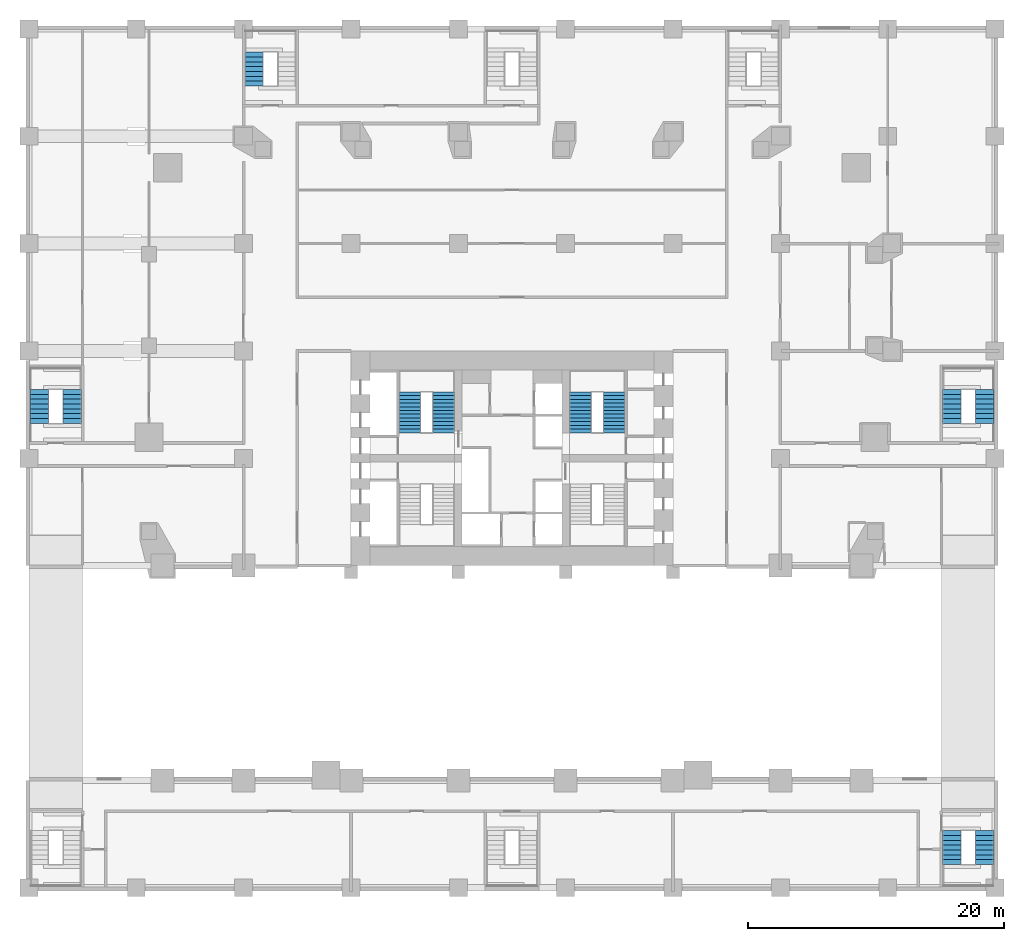
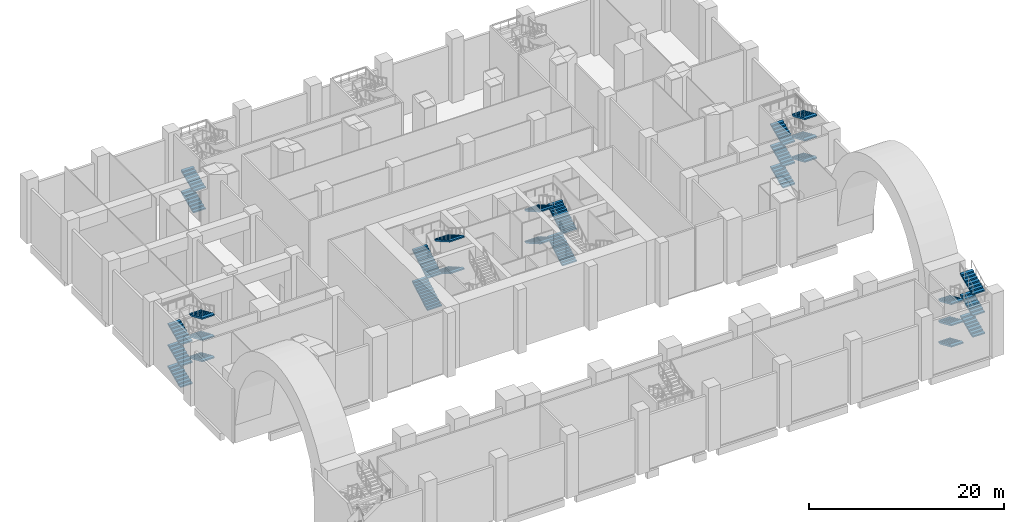
# One storey, part 11 of 19: 28 stair flights, 6 elements without a shape of their own.
"""IFC4 building model written with IfcOpenShell, lengths in metres."""

from ifc_helpers import new_model, si_unit, direction, frame, origin, place, context, subcontext, project, spatial, polyline, outline, extrude, material, type_object, element, aggregate, save


model = new_model("IFC4")

# Units and contexts
model_context = context("Model", 3, precision=1e-05, world=origin(), true_north=direction((0.0, 1.0)))
body_context = subcontext(model_context, "Body", "Model", "MODEL_VIEW")
ifc_project = project(units=[si_unit("LENGTHUNIT", "METRE"), si_unit("AREAUNIT", "SQUARE_METRE"), si_unit("VOLUMEUNIT", "CUBIC_METRE"), si_unit("PLANEANGLEUNIT", "RADIAN"), si_unit("MASSUNIT", "GRAM", prefix="KILO")], contexts=[model_context])

# Site, building, storey
site_placement = place(None, origin())
site = spatial("IfcSite", under=ifc_project, at=site_placement, CompositionType="ELEMENT")
building_placement = place(site_placement, origin())
building = spatial("IfcBuilding", under=site, at=building_placement, Name="Marenta Gate Hotel Tower", CompositionType="ELEMENT")
storey_placement = place(building_placement, frame((0.0, 0.0, 13.0)))
storey = spatial("IfcBuildingStorey", under=building, at=storey_placement, Name="L02", CompositionType="ELEMENT", Elevation=13.0)

# Stair, stair flights
ifc_material_1 = material(Name="Concrete C40", Category="concrete")
stair_type_1 = type_object("IfcStairType", Name="Core exit stair 1700 wide", PredefinedType="HALF_TURN_STAIR", material=ifc_material_1)
stair_1_placement = place(storey_placement, origin())
stair_1 = element("IfcStair", 1, at=stair_1_placement, inside=storey, type_object=stair_type_1, Name="Exit stair 2", PredefinedType="HALF_TURN_STAIR")
ifc_material_2 = material(Name="Concrete C40", Category="concrete")
stair_flight_type_1 = type_object("IfcStairFlightType", Name="Core stair flight 1700 riser 166.7 going 290", PredefinedType="STRAIGHT", material=ifc_material_2)
stair_flight_1_placement = place(storey_placement, frame((-8.0, 10.39990234375, 0.0), z_axis=(0.0, 0.0, 1.0), x_axis=(0.0, 1.0, 0.0)))
stair_flight_1 = element("IfcStairFlight", 2, at=stair_flight_1_placement, type_object=stair_flight_type_1, Name="ST2 flight 1", NumberOfRisers=12, NumberOfTreads=11, PredefinedType="STRAIGHT", RiserHeight=0.166667, TreadLength=0.29, context=body_context, shape_type="SweptSolid", body=[
    extrude(outline(polyline([(0.0, 0.0), (0.0, 0.166748046875), (0.2900390625, 0.166748046875), (0.2900390625, 0.333251953125), (0.580078125, 0.333251953125), (0.580078125, 0.5), (0.8701171875, 0.5), (0.8701171875, 0.666748046875), (1.159912109375, 0.666748046875), (1.159912109375, 0.833251953125), (1.449951171875, 0.833251953125), (1.449951171875, 1.0), (1.739990234375, 1.0), (1.739990234375, 1.166748046875), (2.030029296875, 1.166748046875), (2.030029296875, 1.333251953125), (2.320068359375, 1.333251953125), (2.320068359375, 1.5), (2.610107421875, 1.5), (2.610107421875, 1.666748046875), (2.89990234375, 1.666748046875), (2.89990234375, 1.833251953125), (3.18994140625, 1.833251953125), (3.18994140625, 2.0), (3.18994140625, 1.660400390625), (0.30078125, 0.0), (0.0, 0.0)])), frame((0.0, 0.85009765625, 0.0), z_axis=(0.0, -1.0, 0.0), x_axis=(1.0, 0.0, 0.0)), (0.0, 0.0, 1.0), 1.699951171875),
])
stair_flight_2_placement = place(storey_placement, frame((-5.35009765625, 13.590087890625, 2.0), z_axis=(0.0, 0.0, 1.0), x_axis=(0.0, -1.0, 0.0)))
stair_flight_2 = element("IfcStairFlight", 3, at=stair_flight_2_placement, type_object=stair_flight_type_1, Name="ST2 flight 2", NumberOfRisers=12, NumberOfTreads=11, PredefinedType="STRAIGHT", RiserHeight=0.166667, TreadLength=0.29, context=body_context, shape_type="SweptSolid", body=[
    extrude(outline(polyline([(0.0, 0.0), (0.0, 0.166748046875), (0.2900390625, 0.166748046875), (0.2900390625, 0.333251953125), (0.580078125, 0.333251953125), (0.580078125, 0.5), (0.8701171875, 0.5), (0.8701171875, 0.666748046875), (1.159912109375, 0.666748046875), (1.159912109375, 0.833251953125), (1.449951171875, 0.833251953125), (1.449951171875, 1.0), (1.739990234375, 1.0), (1.739990234375, 1.166748046875), (2.030029296875, 1.166748046875), (2.030029296875, 1.333251953125), (2.320068359375, 1.333251953125), (2.320068359375, 1.5), (2.610107421875, 1.5), (2.610107421875, 1.666748046875), (2.89990234375, 1.666748046875), (2.89990234375, 1.833251953125), (3.18994140625, 1.833251953125), (3.18994140625, 2.0), (3.18994140625, 1.660400390625), (0.30078125, 0.0), (0.0, 0.0)])), frame((0.0, 0.85009765625, 0.0), z_axis=(0.0, -1.0, 0.0), x_axis=(1.0, 0.0, 0.0)), (0.0, 0.0, 1.0), 1.699951171875),
])
stair_flight_3_placement = place(storey_placement, frame((-8.0, 10.39990234375, 4.0), z_axis=(0.0, 0.0, 1.0), x_axis=(0.0, 1.0, 0.0)))
stair_flight_3 = element("IfcStairFlight", 4, at=stair_flight_3_placement, type_object=stair_flight_type_1, Name="ST2 flight 3", NumberOfRisers=12, NumberOfTreads=11, PredefinedType="STRAIGHT", RiserHeight=0.166667, TreadLength=0.29, context=body_context, shape_type="SweptSolid", body=[
    extrude(outline(polyline([(0.0, 0.0), (0.0, 0.166748046875), (0.2900390625, 0.166748046875), (0.2900390625, 0.333251953125), (0.580078125, 0.333251953125), (0.580078125, 0.5), (0.8701171875, 0.5), (0.8701171875, 0.666748046875), (1.159912109375, 0.666748046875), (1.159912109375, 0.833251953125), (1.449951171875, 0.833251953125), (1.449951171875, 1.0), (1.739990234375, 1.0), (1.739990234375, 1.166748046875), (2.030029296875, 1.166748046875), (2.030029296875, 1.333251953125), (2.320068359375, 1.333251953125), (2.320068359375, 1.5), (2.610107421875, 1.5), (2.610107421875, 1.666748046875), (2.89990234375, 1.666748046875), (2.89990234375, 1.833251953125), (3.18994140625, 1.833251953125), (3.18994140625, 2.0), (3.18994140625, 1.660400390625), (0.30078125, 0.0), (0.0, 0.0)])), frame((0.0, 0.85009765625, 0.0), z_axis=(0.0, -1.0, 0.0), x_axis=(1.0, 0.0, 0.0)), (0.0, 0.0, 1.0), 1.699951171875),
])
stair_flight_4_placement = place(storey_placement, frame((-5.35009765625, 13.590087890625, 6.0), z_axis=(0.0, 0.0, 1.0), x_axis=(0.0, -1.0, 0.0)))
stair_flight_4 = element("IfcStairFlight", 5, at=stair_flight_4_placement, type_object=stair_flight_type_1, Name="ST2 flight 4", NumberOfRisers=12, NumberOfTreads=11, PredefinedType="STRAIGHT", RiserHeight=0.166667, TreadLength=0.29, context=body_context, shape_type="SweptSolid", body=[
    extrude(outline(polyline([(0.0, 0.0), (0.0, 0.166748046875), (0.2900390625, 0.166748046875), (0.2900390625, 0.333251953125), (0.580078125, 0.333251953125), (0.580078125, 0.5), (0.8701171875, 0.5), (0.8701171875, 0.666748046875), (1.159912109375, 0.666748046875), (1.159912109375, 0.833251953125), (1.449951171875, 0.833251953125), (1.449951171875, 1.0), (1.739990234375, 1.0), (1.739990234375, 1.166748046875), (2.030029296875, 1.166748046875), (2.030029296875, 1.333251953125), (2.320068359375, 1.333251953125), (2.320068359375, 1.5), (2.610107421875, 1.5), (2.610107421875, 1.666748046875), (2.89990234375, 1.666748046875), (2.89990234375, 1.833251953125), (3.18994140625, 1.833251953125), (3.18994140625, 2.0), (3.18994140625, 1.660400390625), (0.30078125, 0.0), (0.0, 0.0)])), frame((0.0, 0.85009765625, 0.0), z_axis=(0.0, -1.0, 0.0), x_axis=(1.0, 0.0, 0.0)), (0.0, 0.0, 1.0), 1.699951171875),
])
aggregate(stair_1, [stair_flight_1, stair_flight_2, stair_flight_3, stair_flight_4])

stair_2_placement = place(storey_placement, origin())
stair_2 = element("IfcStair", 6, at=stair_2_placement, inside=storey, type_object=stair_type_1, Name="Exit stair 4", PredefinedType="HALF_TURN_STAIR")
stair_flight_5_placement = place(storey_placement, frame((8.0, 10.39990234375, 0.0), z_axis=(0.0, 0.0, 1.0), x_axis=(0.0, 1.0, 0.0)))
stair_flight_5 = element("IfcStairFlight", 7, at=stair_flight_5_placement, type_object=stair_flight_type_1, Name="ST4 flight 1", NumberOfRisers=12, NumberOfTreads=11, PredefinedType="STRAIGHT", RiserHeight=0.166667, TreadLength=0.29, context=body_context, shape_type="SweptSolid", body=[
    extrude(outline(polyline([(0.0, 0.0), (0.0, 0.166748046875), (0.2900390625, 0.166748046875), (0.2900390625, 0.333251953125), (0.580078125, 0.333251953125), (0.580078125, 0.5), (0.8701171875, 0.5), (0.8701171875, 0.666748046875), (1.159912109375, 0.666748046875), (1.159912109375, 0.833251953125), (1.449951171875, 0.833251953125), (1.449951171875, 1.0), (1.739990234375, 1.0), (1.739990234375, 1.166748046875), (2.030029296875, 1.166748046875), (2.030029296875, 1.333251953125), (2.320068359375, 1.333251953125), (2.320068359375, 1.5), (2.610107421875, 1.5), (2.610107421875, 1.666748046875), (2.89990234375, 1.666748046875), (2.89990234375, 1.833251953125), (3.18994140625, 1.833251953125), (3.18994140625, 2.0), (3.18994140625, 1.660400390625), (0.30078125, 0.0), (0.0, 0.0)])), frame((0.0, 0.85009765625, 0.0), z_axis=(0.0, -1.0, 0.0), x_axis=(1.0, 0.0, 0.0)), (0.0, 0.0, 1.0), 1.699951171875),
])
stair_flight_6_placement = place(storey_placement, frame((5.35009765625, 13.590087890625, 2.0), z_axis=(0.0, 0.0, 1.0), x_axis=(0.0, -1.0, 0.0)))
stair_flight_6 = element("IfcStairFlight", 8, at=stair_flight_6_placement, type_object=stair_flight_type_1, Name="ST4 flight 2", NumberOfRisers=12, NumberOfTreads=11, PredefinedType="STRAIGHT", RiserHeight=0.166667, TreadLength=0.29, context=body_context, shape_type="SweptSolid", body=[
    extrude(outline(polyline([(0.0, 0.0), (0.0, 0.166748046875), (0.2900390625, 0.166748046875), (0.2900390625, 0.333251953125), (0.580078125, 0.333251953125), (0.580078125, 0.5), (0.8701171875, 0.5), (0.8701171875, 0.666748046875), (1.159912109375, 0.666748046875), (1.159912109375, 0.833251953125), (1.449951171875, 0.833251953125), (1.449951171875, 1.0), (1.739990234375, 1.0), (1.739990234375, 1.166748046875), (2.030029296875, 1.166748046875), (2.030029296875, 1.333251953125), (2.320068359375, 1.333251953125), (2.320068359375, 1.5), (2.610107421875, 1.5), (2.610107421875, 1.666748046875), (2.89990234375, 1.666748046875), (2.89990234375, 1.833251953125), (3.18994140625, 1.833251953125), (3.18994140625, 2.0), (3.18994140625, 1.660400390625), (0.30078125, 0.0), (0.0, 0.0)])), frame((0.0, 0.85009765625, 0.0), z_axis=(0.0, -1.0, 0.0), x_axis=(1.0, 0.0, 0.0)), (0.0, 0.0, 1.0), 1.699951171875),
])
stair_flight_7_placement = place(storey_placement, frame((8.0, 10.39990234375, 4.0), z_axis=(0.0, 0.0, 1.0), x_axis=(0.0, 1.0, 0.0)))
stair_flight_7 = element("IfcStairFlight", 9, at=stair_flight_7_placement, type_object=stair_flight_type_1, Name="ST4 flight 3", NumberOfRisers=12, NumberOfTreads=11, PredefinedType="STRAIGHT", RiserHeight=0.166667, TreadLength=0.29, context=body_context, shape_type="SweptSolid", body=[
    extrude(outline(polyline([(0.0, 0.0), (0.0, 0.166748046875), (0.2900390625, 0.166748046875), (0.2900390625, 0.333251953125), (0.580078125, 0.333251953125), (0.580078125, 0.5), (0.8701171875, 0.5), (0.8701171875, 0.666748046875), (1.159912109375, 0.666748046875), (1.159912109375, 0.833251953125), (1.449951171875, 0.833251953125), (1.449951171875, 1.0), (1.739990234375, 1.0), (1.739990234375, 1.166748046875), (2.030029296875, 1.166748046875), (2.030029296875, 1.333251953125), (2.320068359375, 1.333251953125), (2.320068359375, 1.5), (2.610107421875, 1.5), (2.610107421875, 1.666748046875), (2.89990234375, 1.666748046875), (2.89990234375, 1.833251953125), (3.18994140625, 1.833251953125), (3.18994140625, 2.0), (3.18994140625, 1.660400390625), (0.30078125, 0.0), (0.0, 0.0)])), frame((0.0, 0.85009765625, 0.0), z_axis=(0.0, -1.0, 0.0), x_axis=(1.0, 0.0, 0.0)), (0.0, 0.0, 1.0), 1.699951171875),
])
stair_flight_8_placement = place(storey_placement, frame((5.35009765625, 13.590087890625, 6.0), z_axis=(0.0, 0.0, 1.0), x_axis=(0.0, -1.0, 0.0)))
stair_flight_8 = element("IfcStairFlight", 10, at=stair_flight_8_placement, type_object=stair_flight_type_1, Name="ST4 flight 4", NumberOfRisers=12, NumberOfTreads=11, PredefinedType="STRAIGHT", RiserHeight=0.166667, TreadLength=0.29, context=body_context, shape_type="SweptSolid", body=[
    extrude(outline(polyline([(0.0, 0.0), (0.0, 0.166748046875), (0.2900390625, 0.166748046875), (0.2900390625, 0.333251953125), (0.580078125, 0.333251953125), (0.580078125, 0.5), (0.8701171875, 0.5), (0.8701171875, 0.666748046875), (1.159912109375, 0.666748046875), (1.159912109375, 0.833251953125), (1.449951171875, 0.833251953125), (1.449951171875, 1.0), (1.739990234375, 1.0), (1.739990234375, 1.166748046875), (2.030029296875, 1.166748046875), (2.030029296875, 1.333251953125), (2.320068359375, 1.333251953125), (2.320068359375, 1.5), (2.610107421875, 1.5), (2.610107421875, 1.666748046875), (2.89990234375, 1.666748046875), (2.89990234375, 1.833251953125), (3.18994140625, 1.833251953125), (3.18994140625, 2.0), (3.18994140625, 1.660400390625), (0.30078125, 0.0), (0.0, 0.0)])), frame((0.0, 0.85009765625, 0.0), z_axis=(0.0, -1.0, 0.0), x_axis=(1.0, 0.0, 0.0)), (0.0, 0.0, 1.0), 1.699951171875),
])
aggregate(stair_2, [stair_flight_5, stair_flight_6, stair_flight_7, stair_flight_8])

ifc_material_3 = material(Name="Concrete C40", Category="concrete")
stair_type_2 = type_object("IfcStairType", Name="Podium exit stair 1430 wide", PredefinedType="HALF_TURN_STAIR", material=ifc_material_3)
stair_3_placement = place(storey_placement, origin())
stair_3 = element("IfcStair", 11, at=stair_3_placement, inside=storey, type_object=stair_type_2, Name="Podium exit stair 2", PredefinedType="HALF_TURN_STAIR")
ifc_material_4 = material(Name="Concrete C40", Category="concrete")
stair_flight_type_2 = type_object("IfcStairFlightType", Name="Podium stair flight 1430 riser 166.7 going 380", PredefinedType="STRAIGHT", material=ifc_material_4)
stair_flight_9_placement = place(storey_placement, frame((34.4150390625, -20.72998046875, 0.0), z_axis=(0.0, 0.0, 1.0), x_axis=(0.0, -1.0, 0.0)))
stair_flight_9 = element("IfcStairFlight", 12, at=stair_flight_9_placement, type_object=stair_flight_type_2, Name="PX2 flight 1", NumberOfRisers=8, NumberOfTreads=7, PredefinedType="STRAIGHT", RiserHeight=0.166667, TreadLength=0.38, context=body_context, shape_type="SweptSolid", body=[
    extrude(outline(polyline([(0.0, 0.0), (0.0, 0.166748046875), (0.3798828125, 0.166748046875), (0.3798828125, 0.333251953125), (0.760009765625, 0.333251953125), (0.760009765625, 0.5), (1.139892578125, 0.5), (1.139892578125, 0.666748046875), (1.52001953125, 0.666748046875), (1.52001953125, 0.833251953125), (1.89990234375, 0.833251953125), (1.89990234375, 1.0), (2.280029296875, 1.0), (2.280029296875, 1.166748046875), (2.659912109375, 1.166748046875), (2.659912109375, 1.333251953125), (2.659912109375, 1.0029296875), (0.373291015625, 0.0), (0.0, 0.0)])), frame((0.0, 0.71484375, 0.0), z_axis=(0.0, -1.0, 0.0), x_axis=(1.0, 0.0, 0.0)), (0.0, 0.0, 1.0), 1.429931640625),
])
stair_flight_10_placement = place(storey_placement, frame((36.985107421875, -23.389892578125, 1.333251953125), z_axis=(0.0, 0.0, 1.0), x_axis=(0.0, 1.0, 0.0)))
stair_flight_10 = element("IfcStairFlight", 13, at=stair_flight_10_placement, type_object=stair_flight_type_2, Name="PX2 flight 2", NumberOfRisers=8, NumberOfTreads=7, PredefinedType="STRAIGHT", RiserHeight=0.166667, TreadLength=0.38, context=body_context, shape_type="SweptSolid", body=[
    extrude(outline(polyline([(0.0, 0.0), (0.0, 0.166748046875), (0.3798828125, 0.166748046875), (0.3798828125, 0.333251953125), (0.760009765625, 0.333251953125), (0.760009765625, 0.5), (1.139892578125, 0.5), (1.139892578125, 0.666748046875), (1.52001953125, 0.666748046875), (1.52001953125, 0.833251953125), (1.89990234375, 0.833251953125), (1.89990234375, 1.0), (2.280029296875, 1.0), (2.280029296875, 1.166748046875), (2.659912109375, 1.166748046875), (2.659912109375, 1.333251953125), (2.659912109375, 1.0029296875), (0.373291015625, 0.0), (0.0, 0.0)])), frame((0.0, 0.71484375, 0.0), z_axis=(0.0, -1.0, 0.0), x_axis=(1.0, 0.0, 0.0)), (0.0, 0.0, 1.0), 1.429931640625),
])
stair_flight_11_placement = place(storey_placement, frame((34.4150390625, -20.72998046875, 2.666748046875), z_axis=(0.0, 0.0, 1.0), x_axis=(0.0, -1.0, 0.0)))
stair_flight_11 = element("IfcStairFlight", 14, at=stair_flight_11_placement, type_object=stair_flight_type_2, Name="PX2 flight 3", NumberOfRisers=8, NumberOfTreads=7, PredefinedType="STRAIGHT", RiserHeight=0.166667, TreadLength=0.38, context=body_context, shape_type="SweptSolid", body=[
    extrude(outline(polyline([(0.0, 0.0), (0.0, 0.166748046875), (0.3798828125, 0.166748046875), (0.3798828125, 0.333251953125), (0.760009765625, 0.333251953125), (0.760009765625, 0.5), (1.139892578125, 0.5), (1.139892578125, 0.666748046875), (1.52001953125, 0.666748046875), (1.52001953125, 0.833251953125), (1.89990234375, 0.833251953125), (1.89990234375, 1.0), (2.280029296875, 1.0), (2.280029296875, 1.166748046875), (2.659912109375, 1.166748046875), (2.659912109375, 1.333251953125), (2.659912109375, 1.0029296875), (0.373291015625, 0.0), (0.0, 0.0)])), frame((0.0, 0.71484375, 0.0), z_axis=(0.0, -1.0, 0.0), x_axis=(1.0, 0.0, 0.0)), (0.0, 0.0, 1.0), 1.429931640625),
])
stair_flight_12_placement = place(storey_placement, frame((36.985107421875, -23.389892578125, 4.0), z_axis=(0.0, 0.0, 1.0), x_axis=(0.0, 1.0, 0.0)))
stair_flight_12 = element("IfcStairFlight", 15, at=stair_flight_12_placement, type_object=stair_flight_type_2, Name="PX2 flight 4", NumberOfRisers=8, NumberOfTreads=7, PredefinedType="STRAIGHT", RiserHeight=0.166667, TreadLength=0.38, context=body_context, shape_type="SweptSolid", body=[
    extrude(outline(polyline([(0.0, 0.0), (0.0, 0.166748046875), (0.3798828125, 0.166748046875), (0.3798828125, 0.333251953125), (0.760009765625, 0.333251953125), (0.760009765625, 0.5), (1.139892578125, 0.5), (1.139892578125, 0.666748046875), (1.52001953125, 0.666748046875), (1.52001953125, 0.833251953125), (1.89990234375, 0.833251953125), (1.89990234375, 1.0), (2.280029296875, 1.0), (2.280029296875, 1.166748046875), (2.659912109375, 1.166748046875), (2.659912109375, 1.333251953125), (2.659912109375, 1.0029296875), (0.373291015625, 0.0), (0.0, 0.0)])), frame((0.0, 0.71484375, 0.0), z_axis=(0.0, -1.0, 0.0), x_axis=(1.0, 0.0, 0.0)), (0.0, 0.0, 1.0), 1.429931640625),
])
stair_flight_13_placement = place(storey_placement, frame((34.4150390625, -20.72998046875, 5.333251953125), z_axis=(0.0, 0.0, 1.0), x_axis=(0.0, -1.0, 0.0)))
stair_flight_13 = element("IfcStairFlight", 16, at=stair_flight_13_placement, type_object=stair_flight_type_2, Name="PX2 flight 5", NumberOfRisers=8, NumberOfTreads=7, PredefinedType="STRAIGHT", RiserHeight=0.166667, TreadLength=0.38, context=body_context, shape_type="SweptSolid", body=[
    extrude(outline(polyline([(0.0, 0.0), (0.0, 0.166748046875), (0.3798828125, 0.166748046875), (0.3798828125, 0.333251953125), (0.760009765625, 0.333251953125), (0.760009765625, 0.5), (1.139892578125, 0.5), (1.139892578125, 0.666748046875), (1.52001953125, 0.666748046875), (1.52001953125, 0.833251953125), (1.89990234375, 0.833251953125), (1.89990234375, 1.0), (2.280029296875, 1.0), (2.280029296875, 1.166748046875), (2.659912109375, 1.166748046875), (2.659912109375, 1.333251953125), (2.659912109375, 1.0029296875), (0.373291015625, 0.0), (0.0, 0.0)])), frame((0.0, 0.71484375, 0.0), z_axis=(0.0, -1.0, 0.0), x_axis=(1.0, 0.0, 0.0)), (0.0, 0.0, 1.0), 1.429931640625),
])
stair_flight_14_placement = place(storey_placement, frame((36.985107421875, -23.389892578125, 6.666748046875), z_axis=(0.0, 0.0, 1.0), x_axis=(0.0, 1.0, 0.0)))
stair_flight_14 = element("IfcStairFlight", 17, at=stair_flight_14_placement, type_object=stair_flight_type_2, Name="PX2 flight 6", NumberOfRisers=8, NumberOfTreads=7, PredefinedType="STRAIGHT", RiserHeight=0.166667, TreadLength=0.38, context=body_context, shape_type="SweptSolid", body=[
    extrude(outline(polyline([(0.0, 0.0), (0.0, 0.166748046875), (0.3798828125, 0.166748046875), (0.3798828125, 0.333251953125), (0.760009765625, 0.333251953125), (0.760009765625, 0.5), (1.139892578125, 0.5), (1.139892578125, 0.666748046875), (1.52001953125, 0.666748046875), (1.52001953125, 0.833251953125), (1.89990234375, 0.833251953125), (1.89990234375, 1.0), (2.280029296875, 1.0), (2.280029296875, 1.166748046875), (2.659912109375, 1.166748046875), (2.659912109375, 1.333251953125), (2.659912109375, 1.0029296875), (0.373291015625, 0.0), (0.0, 0.0)])), frame((0.0, 0.71484375, 0.0), z_axis=(0.0, -1.0, 0.0), x_axis=(1.0, 0.0, 0.0)), (0.0, 0.0, 1.0), 1.429931640625),
])
aggregate(stair_3, [stair_flight_9, stair_flight_10, stair_flight_11, stair_flight_12, stair_flight_13, stair_flight_14])

stair_4_placement = place(storey_placement, origin())
stair_4 = element("IfcStair", 18, at=stair_4_placement, inside=storey, type_object=stair_type_2, Name="Podium exit stair 3", PredefinedType="HALF_TURN_STAIR")
stair_flight_15_placement = place(storey_placement, frame((-20.18505859375, 37.530029296875, 0.0), z_axis=(0.0, 0.0, 1.0), x_axis=(0.0, 1.0, 0.0)))
stair_flight_15 = element("IfcStairFlight", 19, at=stair_flight_15_placement, type_object=stair_flight_type_2, Name="PX3 flight 1", NumberOfRisers=8, NumberOfTreads=7, PredefinedType="STRAIGHT", RiserHeight=0.166667, TreadLength=0.38, context=body_context, shape_type="SweptSolid", body=[
    extrude(outline(polyline([(0.0, 0.0), (0.0, 0.166748046875), (0.3798828125, 0.166748046875), (0.3798828125, 0.333251953125), (0.760009765625, 0.333251953125), (0.760009765625, 0.5), (1.139892578125, 0.5), (1.139892578125, 0.666748046875), (1.52001953125, 0.666748046875), (1.52001953125, 0.833251953125), (1.89990234375, 0.833251953125), (1.89990234375, 1.0), (2.280029296875, 1.0), (2.280029296875, 1.166748046875), (2.659912109375, 1.166748046875), (2.659912109375, 1.333251953125), (2.659912109375, 1.0029296875), (0.373291015625, 0.0), (0.0, 0.0)])), frame((0.0, 0.71484375, 0.0), z_axis=(0.0, -1.0, 0.0), x_axis=(1.0, 0.0, 0.0)), (0.0, 0.0, 1.0), 1.429931640625),
])
stair_flight_16_placement = place(storey_placement, frame((-20.18505859375, 37.530029296875, 2.666748046875), z_axis=(0.0, 0.0, 1.0), x_axis=(0.0, 1.0, 0.0)))
stair_flight_16 = element("IfcStairFlight", 20, at=stair_flight_16_placement, type_object=stair_flight_type_2, Name="PX3 flight 3", NumberOfRisers=8, NumberOfTreads=7, PredefinedType="STRAIGHT", RiserHeight=0.166667, TreadLength=0.38, context=body_context, shape_type="SweptSolid", body=[
    extrude(outline(polyline([(0.0, 0.0), (0.0, 0.166748046875), (0.3798828125, 0.166748046875), (0.3798828125, 0.333251953125), (0.760009765625, 0.333251953125), (0.760009765625, 0.5), (1.139892578125, 0.5), (1.139892578125, 0.666748046875), (1.52001953125, 0.666748046875), (1.52001953125, 0.833251953125), (1.89990234375, 0.833251953125), (1.89990234375, 1.0), (2.280029296875, 1.0), (2.280029296875, 1.166748046875), (2.659912109375, 1.166748046875), (2.659912109375, 1.333251953125), (2.659912109375, 1.0029296875), (0.373291015625, 0.0), (0.0, 0.0)])), frame((0.0, 0.71484375, 0.0), z_axis=(0.0, -1.0, 0.0), x_axis=(1.0, 0.0, 0.0)), (0.0, 0.0, 1.0), 1.429931640625),
])
aggregate(stair_4, [stair_flight_15, stair_flight_16])

stair_5_placement = place(storey_placement, origin())
stair_5 = element("IfcStair", 21, at=stair_5_placement, inside=storey, type_object=stair_type_2, Name="Podium exit stair 6", PredefinedType="HALF_TURN_STAIR")
stair_flight_17_placement = place(storey_placement, frame((-36.985107421875, 11.1298828125, 0.0), z_axis=(0.0, 0.0, 1.0), x_axis=(0.0, 1.0, 0.0)))
stair_flight_17 = element("IfcStairFlight", 22, at=stair_flight_17_placement, type_object=stair_flight_type_2, Name="PX6 flight 1", NumberOfRisers=8, NumberOfTreads=7, PredefinedType="STRAIGHT", RiserHeight=0.166667, TreadLength=0.38, context=body_context, shape_type="SweptSolid", body=[
    extrude(outline(polyline([(0.0, 0.0), (0.0, 0.166748046875), (0.3798828125, 0.166748046875), (0.3798828125, 0.333251953125), (0.760009765625, 0.333251953125), (0.760009765625, 0.5), (1.139892578125, 0.5), (1.139892578125, 0.666748046875), (1.52001953125, 0.666748046875), (1.52001953125, 0.833251953125), (1.89990234375, 0.833251953125), (1.89990234375, 1.0), (2.280029296875, 1.0), (2.280029296875, 1.166748046875), (2.659912109375, 1.166748046875), (2.659912109375, 1.333251953125), (2.659912109375, 1.0029296875), (0.373291015625, 0.0), (0.0, 0.0)])), frame((0.0, 0.71484375, 0.0), z_axis=(0.0, -1.0, 0.0), x_axis=(1.0, 0.0, 0.0)), (0.0, 0.0, 1.0), 1.429931640625),
])
stair_flight_18_placement = place(storey_placement, frame((-34.4150390625, 13.7900390625, 1.333251953125), z_axis=(0.0, 0.0, 1.0), x_axis=(0.0, -1.0, 0.0)))
stair_flight_18 = element("IfcStairFlight", 23, at=stair_flight_18_placement, type_object=stair_flight_type_2, Name="PX6 flight 2", NumberOfRisers=8, NumberOfTreads=7, PredefinedType="STRAIGHT", RiserHeight=0.166667, TreadLength=0.38, context=body_context, shape_type="SweptSolid", body=[
    extrude(outline(polyline([(0.0, 0.0), (0.0, 0.166748046875), (0.3798828125, 0.166748046875), (0.3798828125, 0.333251953125), (0.760009765625, 0.333251953125), (0.760009765625, 0.5), (1.139892578125, 0.5), (1.139892578125, 0.666748046875), (1.52001953125, 0.666748046875), (1.52001953125, 0.833251953125), (1.89990234375, 0.833251953125), (1.89990234375, 1.0), (2.280029296875, 1.0), (2.280029296875, 1.166748046875), (2.659912109375, 1.166748046875), (2.659912109375, 1.333251953125), (2.659912109375, 1.0029296875), (0.373291015625, 0.0), (0.0, 0.0)])), frame((0.0, 0.71484375, 0.0), z_axis=(0.0, -1.0, 0.0), x_axis=(1.0, 0.0, 0.0)), (0.0, 0.0, 1.0), 1.429931640625),
])
stair_flight_19_placement = place(storey_placement, frame((-36.985107421875, 11.1298828125, 2.666748046875), z_axis=(0.0, 0.0, 1.0), x_axis=(0.0, 1.0, 0.0)))
stair_flight_19 = element("IfcStairFlight", 24, at=stair_flight_19_placement, type_object=stair_flight_type_2, Name="PX6 flight 3", NumberOfRisers=8, NumberOfTreads=7, PredefinedType="STRAIGHT", RiserHeight=0.166667, TreadLength=0.38, context=body_context, shape_type="SweptSolid", body=[
    extrude(outline(polyline([(0.0, 0.0), (0.0, 0.166748046875), (0.3798828125, 0.166748046875), (0.3798828125, 0.333251953125), (0.760009765625, 0.333251953125), (0.760009765625, 0.5), (1.139892578125, 0.5), (1.139892578125, 0.666748046875), (1.52001953125, 0.666748046875), (1.52001953125, 0.833251953125), (1.89990234375, 0.833251953125), (1.89990234375, 1.0), (2.280029296875, 1.0), (2.280029296875, 1.166748046875), (2.659912109375, 1.166748046875), (2.659912109375, 1.333251953125), (2.659912109375, 1.0029296875), (0.373291015625, 0.0), (0.0, 0.0)])), frame((0.0, 0.71484375, 0.0), z_axis=(0.0, -1.0, 0.0), x_axis=(1.0, 0.0, 0.0)), (0.0, 0.0, 1.0), 1.429931640625),
])
stair_flight_20_placement = place(storey_placement, frame((-34.4150390625, 13.7900390625, 4.0), z_axis=(0.0, 0.0, 1.0), x_axis=(0.0, -1.0, 0.0)))
stair_flight_20 = element("IfcStairFlight", 25, at=stair_flight_20_placement, type_object=stair_flight_type_2, Name="PX6 flight 4", NumberOfRisers=8, NumberOfTreads=7, PredefinedType="STRAIGHT", RiserHeight=0.166667, TreadLength=0.38, context=body_context, shape_type="SweptSolid", body=[
    extrude(outline(polyline([(0.0, 0.0), (0.0, 0.166748046875), (0.3798828125, 0.166748046875), (0.3798828125, 0.333251953125), (0.760009765625, 0.333251953125), (0.760009765625, 0.5), (1.139892578125, 0.5), (1.139892578125, 0.666748046875), (1.52001953125, 0.666748046875), (1.52001953125, 0.833251953125), (1.89990234375, 0.833251953125), (1.89990234375, 1.0), (2.280029296875, 1.0), (2.280029296875, 1.166748046875), (2.659912109375, 1.166748046875), (2.659912109375, 1.333251953125), (2.659912109375, 1.0029296875), (0.373291015625, 0.0), (0.0, 0.0)])), frame((0.0, 0.71484375, 0.0), z_axis=(0.0, -1.0, 0.0), x_axis=(1.0, 0.0, 0.0)), (0.0, 0.0, 1.0), 1.429931640625),
])
stair_flight_21_placement = place(storey_placement, frame((-36.985107421875, 11.1298828125, 5.333251953125), z_axis=(0.0, 0.0, 1.0), x_axis=(0.0, 1.0, 0.0)))
stair_flight_21 = element("IfcStairFlight", 26, at=stair_flight_21_placement, type_object=stair_flight_type_2, Name="PX6 flight 5", NumberOfRisers=8, NumberOfTreads=7, PredefinedType="STRAIGHT", RiserHeight=0.166667, TreadLength=0.38, context=body_context, shape_type="SweptSolid", body=[
    extrude(outline(polyline([(0.0, 0.0), (0.0, 0.166748046875), (0.3798828125, 0.166748046875), (0.3798828125, 0.333251953125), (0.760009765625, 0.333251953125), (0.760009765625, 0.5), (1.139892578125, 0.5), (1.139892578125, 0.666748046875), (1.52001953125, 0.666748046875), (1.52001953125, 0.833251953125), (1.89990234375, 0.833251953125), (1.89990234375, 1.0), (2.280029296875, 1.0), (2.280029296875, 1.166748046875), (2.659912109375, 1.166748046875), (2.659912109375, 1.333251953125), (2.659912109375, 1.0029296875), (0.373291015625, 0.0), (0.0, 0.0)])), frame((0.0, 0.71484375, 0.0), z_axis=(0.0, -1.0, 0.0), x_axis=(1.0, 0.0, 0.0)), (0.0, 0.0, 1.0), 1.429931640625),
])
stair_flight_22_placement = place(storey_placement, frame((-34.4150390625, 13.7900390625, 6.666748046875), z_axis=(0.0, 0.0, 1.0), x_axis=(0.0, -1.0, 0.0)))
stair_flight_22 = element("IfcStairFlight", 27, at=stair_flight_22_placement, type_object=stair_flight_type_2, Name="PX6 flight 6", NumberOfRisers=8, NumberOfTreads=7, PredefinedType="STRAIGHT", RiserHeight=0.166667, TreadLength=0.38, context=body_context, shape_type="SweptSolid", body=[
    extrude(outline(polyline([(0.0, 0.0), (0.0, 0.166748046875), (0.3798828125, 0.166748046875), (0.3798828125, 0.333251953125), (0.760009765625, 0.333251953125), (0.760009765625, 0.5), (1.139892578125, 0.5), (1.139892578125, 0.666748046875), (1.52001953125, 0.666748046875), (1.52001953125, 0.833251953125), (1.89990234375, 0.833251953125), (1.89990234375, 1.0), (2.280029296875, 1.0), (2.280029296875, 1.166748046875), (2.659912109375, 1.166748046875), (2.659912109375, 1.333251953125), (2.659912109375, 1.0029296875), (0.373291015625, 0.0), (0.0, 0.0)])), frame((0.0, 0.71484375, 0.0), z_axis=(0.0, -1.0, 0.0), x_axis=(1.0, 0.0, 0.0)), (0.0, 0.0, 1.0), 1.429931640625),
])
aggregate(stair_5, [stair_flight_17, stair_flight_18, stair_flight_19, stair_flight_20, stair_flight_21, stair_flight_22])

stair_6_placement = place(storey_placement, origin())
stair_6 = element("IfcStair", 28, at=stair_6_placement, inside=storey, type_object=stair_type_2, Name="Podium exit stair 7", PredefinedType="HALF_TURN_STAIR")
stair_flight_23_placement = place(storey_placement, frame((34.4150390625, 11.1298828125, 0.0), z_axis=(0.0, 0.0, 1.0), x_axis=(0.0, 1.0, 0.0)))
stair_flight_23 = element("IfcStairFlight", 29, at=stair_flight_23_placement, type_object=stair_flight_type_2, Name="PX7 flight 1", NumberOfRisers=8, NumberOfTreads=7, PredefinedType="STRAIGHT", RiserHeight=0.166667, TreadLength=0.38, context=body_context, shape_type="SweptSolid", body=[
    extrude(outline(polyline([(0.0, 0.0), (0.0, 0.166748046875), (0.3798828125, 0.166748046875), (0.3798828125, 0.333251953125), (0.760009765625, 0.333251953125), (0.760009765625, 0.5), (1.139892578125, 0.5), (1.139892578125, 0.666748046875), (1.52001953125, 0.666748046875), (1.52001953125, 0.833251953125), (1.89990234375, 0.833251953125), (1.89990234375, 1.0), (2.280029296875, 1.0), (2.280029296875, 1.166748046875), (2.659912109375, 1.166748046875), (2.659912109375, 1.333251953125), (2.659912109375, 1.0029296875), (0.373291015625, 0.0), (0.0, 0.0)])), frame((0.0, 0.71484375, 0.0), z_axis=(0.0, -1.0, 0.0), x_axis=(1.0, 0.0, 0.0)), (0.0, 0.0, 1.0), 1.429931640625),
])
stair_flight_24_placement = place(storey_placement, frame((36.985107421875, 13.7900390625, 1.333251953125), z_axis=(0.0, 0.0, 1.0), x_axis=(0.0, -1.0, 0.0)))
stair_flight_24 = element("IfcStairFlight", 30, at=stair_flight_24_placement, type_object=stair_flight_type_2, Name="PX7 flight 2", NumberOfRisers=8, NumberOfTreads=7, PredefinedType="STRAIGHT", RiserHeight=0.166667, TreadLength=0.38, context=body_context, shape_type="SweptSolid", body=[
    extrude(outline(polyline([(0.0, 0.0), (0.0, 0.166748046875), (0.3798828125, 0.166748046875), (0.3798828125, 0.333251953125), (0.760009765625, 0.333251953125), (0.760009765625, 0.5), (1.139892578125, 0.5), (1.139892578125, 0.666748046875), (1.52001953125, 0.666748046875), (1.52001953125, 0.833251953125), (1.89990234375, 0.833251953125), (1.89990234375, 1.0), (2.280029296875, 1.0), (2.280029296875, 1.166748046875), (2.659912109375, 1.166748046875), (2.659912109375, 1.333251953125), (2.659912109375, 1.0029296875), (0.373291015625, 0.0), (0.0, 0.0)])), frame((0.0, 0.71484375, 0.0), z_axis=(0.0, -1.0, 0.0), x_axis=(1.0, 0.0, 0.0)), (0.0, 0.0, 1.0), 1.429931640625),
])
stair_flight_25_placement = place(storey_placement, frame((34.4150390625, 11.1298828125, 2.666748046875), z_axis=(0.0, 0.0, 1.0), x_axis=(0.0, 1.0, 0.0)))
stair_flight_25 = element("IfcStairFlight", 31, at=stair_flight_25_placement, type_object=stair_flight_type_2, Name="PX7 flight 3", NumberOfRisers=8, NumberOfTreads=7, PredefinedType="STRAIGHT", RiserHeight=0.166667, TreadLength=0.38, context=body_context, shape_type="SweptSolid", body=[
    extrude(outline(polyline([(0.0, 0.0), (0.0, 0.166748046875), (0.3798828125, 0.166748046875), (0.3798828125, 0.333251953125), (0.760009765625, 0.333251953125), (0.760009765625, 0.5), (1.139892578125, 0.5), (1.139892578125, 0.666748046875), (1.52001953125, 0.666748046875), (1.52001953125, 0.833251953125), (1.89990234375, 0.833251953125), (1.89990234375, 1.0), (2.280029296875, 1.0), (2.280029296875, 1.166748046875), (2.659912109375, 1.166748046875), (2.659912109375, 1.333251953125), (2.659912109375, 1.0029296875), (0.373291015625, 0.0), (0.0, 0.0)])), frame((0.0, 0.71484375, 0.0), z_axis=(0.0, -1.0, 0.0), x_axis=(1.0, 0.0, 0.0)), (0.0, 0.0, 1.0), 1.429931640625),
])
stair_flight_26_placement = place(storey_placement, frame((36.985107421875, 13.7900390625, 4.0), z_axis=(0.0, 0.0, 1.0), x_axis=(0.0, -1.0, 0.0)))
stair_flight_26 = element("IfcStairFlight", 32, at=stair_flight_26_placement, type_object=stair_flight_type_2, Name="PX7 flight 4", NumberOfRisers=8, NumberOfTreads=7, PredefinedType="STRAIGHT", RiserHeight=0.166667, TreadLength=0.38, context=body_context, shape_type="SweptSolid", body=[
    extrude(outline(polyline([(0.0, 0.0), (0.0, 0.166748046875), (0.3798828125, 0.166748046875), (0.3798828125, 0.333251953125), (0.760009765625, 0.333251953125), (0.760009765625, 0.5), (1.139892578125, 0.5), (1.139892578125, 0.666748046875), (1.52001953125, 0.666748046875), (1.52001953125, 0.833251953125), (1.89990234375, 0.833251953125), (1.89990234375, 1.0), (2.280029296875, 1.0), (2.280029296875, 1.166748046875), (2.659912109375, 1.166748046875), (2.659912109375, 1.333251953125), (2.659912109375, 1.0029296875), (0.373291015625, 0.0), (0.0, 0.0)])), frame((0.0, 0.71484375, 0.0), z_axis=(0.0, -1.0, 0.0), x_axis=(1.0, 0.0, 0.0)), (0.0, 0.0, 1.0), 1.429931640625),
])
stair_flight_27_placement = place(storey_placement, frame((34.4150390625, 11.1298828125, 5.333251953125), z_axis=(0.0, 0.0, 1.0), x_axis=(0.0, 1.0, 0.0)))
stair_flight_27 = element("IfcStairFlight", 33, at=stair_flight_27_placement, type_object=stair_flight_type_2, Name="PX7 flight 5", NumberOfRisers=8, NumberOfTreads=7, PredefinedType="STRAIGHT", RiserHeight=0.166667, TreadLength=0.38, context=body_context, shape_type="SweptSolid", body=[
    extrude(outline(polyline([(0.0, 0.0), (0.0, 0.166748046875), (0.3798828125, 0.166748046875), (0.3798828125, 0.333251953125), (0.760009765625, 0.333251953125), (0.760009765625, 0.5), (1.139892578125, 0.5), (1.139892578125, 0.666748046875), (1.52001953125, 0.666748046875), (1.52001953125, 0.833251953125), (1.89990234375, 0.833251953125), (1.89990234375, 1.0), (2.280029296875, 1.0), (2.280029296875, 1.166748046875), (2.659912109375, 1.166748046875), (2.659912109375, 1.333251953125), (2.659912109375, 1.0029296875), (0.373291015625, 0.0), (0.0, 0.0)])), frame((0.0, 0.71484375, 0.0), z_axis=(0.0, -1.0, 0.0), x_axis=(1.0, 0.0, 0.0)), (0.0, 0.0, 1.0), 1.429931640625),
])
stair_flight_28_placement = place(storey_placement, frame((36.985107421875, 13.7900390625, 6.666748046875), z_axis=(0.0, 0.0, 1.0), x_axis=(0.0, -1.0, 0.0)))
stair_flight_28 = element("IfcStairFlight", 34, at=stair_flight_28_placement, type_object=stair_flight_type_2, Name="PX7 flight 6", NumberOfRisers=8, NumberOfTreads=7, PredefinedType="STRAIGHT", RiserHeight=0.166667, TreadLength=0.38, context=body_context, shape_type="SweptSolid", body=[
    extrude(outline(polyline([(0.0, 0.0), (0.0, 0.166748046875), (0.3798828125, 0.166748046875), (0.3798828125, 0.333251953125), (0.760009765625, 0.333251953125), (0.760009765625, 0.5), (1.139892578125, 0.5), (1.139892578125, 0.666748046875), (1.52001953125, 0.666748046875), (1.52001953125, 0.833251953125), (1.89990234375, 0.833251953125), (1.89990234375, 1.0), (2.280029296875, 1.0), (2.280029296875, 1.166748046875), (2.659912109375, 1.166748046875), (2.659912109375, 1.333251953125), (2.659912109375, 1.0029296875), (0.373291015625, 0.0), (0.0, 0.0)])), frame((0.0, 0.71484375, 0.0), z_axis=(0.0, -1.0, 0.0), x_axis=(1.0, 0.0, 0.0)), (0.0, 0.0, 1.0), 1.429931640625),
])
aggregate(stair_6, [stair_flight_23, stair_flight_24, stair_flight_25, stair_flight_26, stair_flight_27, stair_flight_28])

save(model, "model.ifc")
